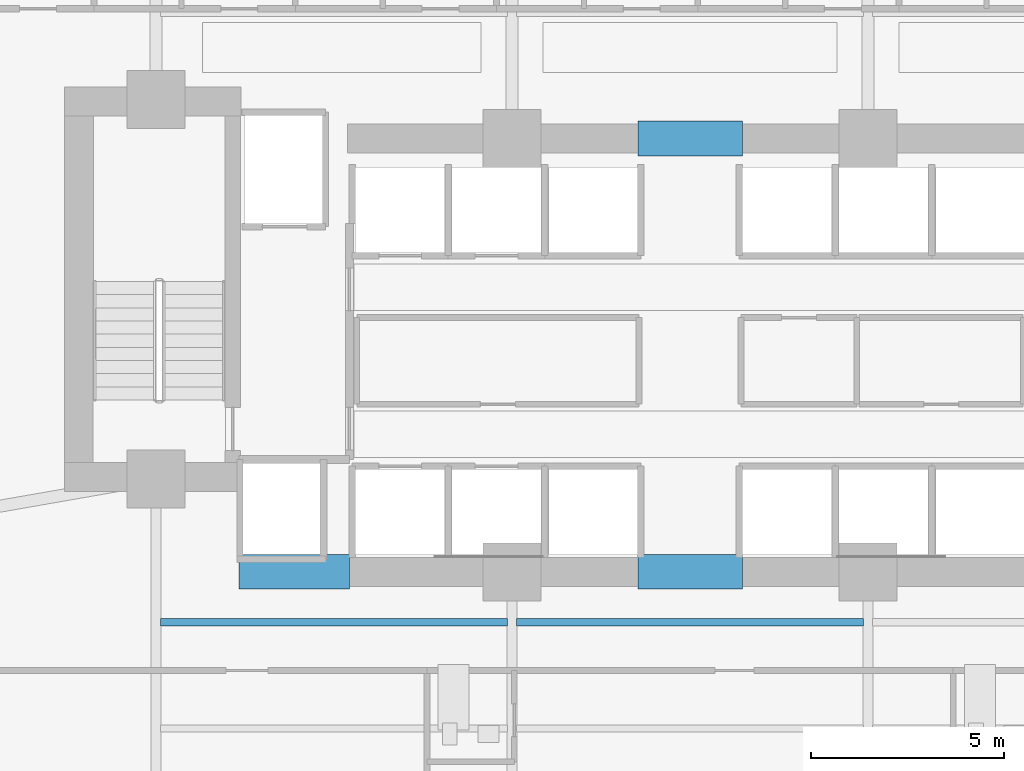
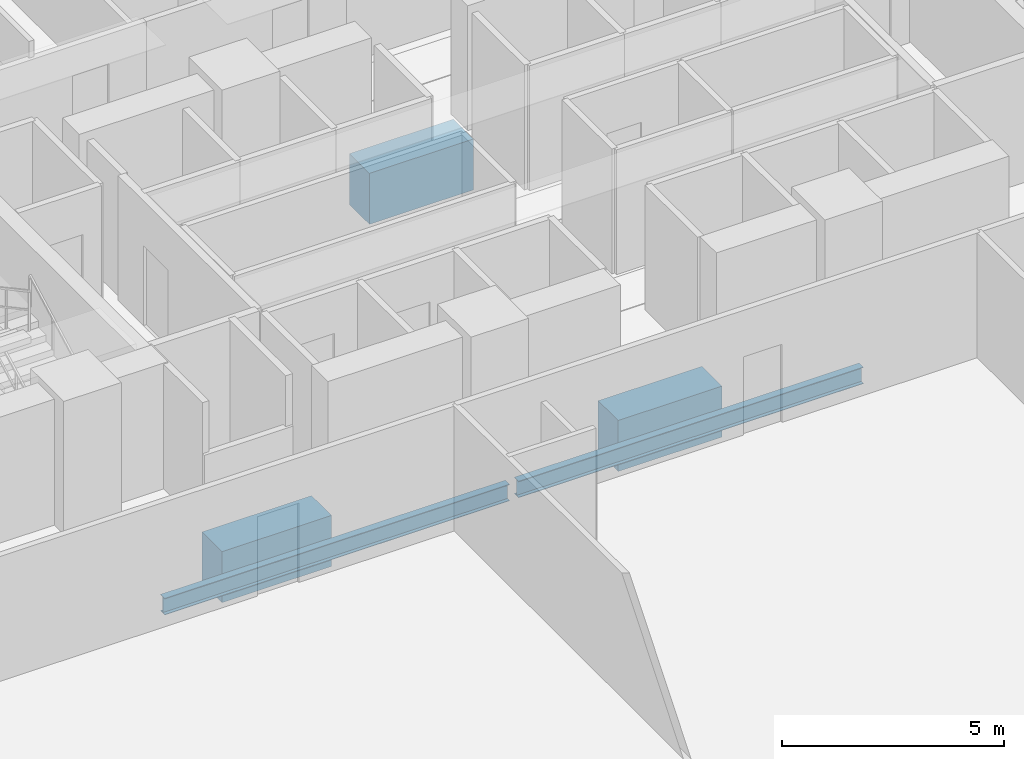
# One storey, part 8 of 29: 5 beams.
"""IFC4 building model written with IfcOpenShell, lengths in metres."""

from ifc_helpers import new_model, si_unit, direction, frame, origin, origin_2d, place, context, subcontext, project, spatial, rectangle, i_section, extrude, material, material_profile, profile_set, type_object, element, save


model = new_model("IFC4")

# Units and contexts
model_context = context("Model", 3, precision=1e-05, world=origin(), true_north=direction((0.0, 1.0)))
body_context = subcontext(model_context, "Body", "Model", "MODEL_VIEW")
ifc_project = project(units=[si_unit("LENGTHUNIT", "METRE"), si_unit("AREAUNIT", "SQUARE_METRE"), si_unit("VOLUMEUNIT", "CUBIC_METRE"), si_unit("PLANEANGLEUNIT", "RADIAN"), si_unit("MASSUNIT", "GRAM", prefix="KILO")], contexts=[model_context])

# Site, building, storey
site_placement = place(None, origin())
site = spatial("IfcSite", under=ifc_project, at=site_placement, CompositionType="ELEMENT")
building_placement = place(site_placement, origin())
building = spatial("IfcBuilding", under=site, at=building_placement, Name="Zuhayl Quay Hotel", CompositionType="ELEMENT")
storey_placement = place(building_placement, frame((0.0, 0.0, 106.60009765625)))
storey = spatial("IfcBuildingStorey", under=building, at=storey_placement, Name="L26", CompositionType="ELEMENT", Elevation=106.60009765625)

# Beams
ifc_material_1 = material(Name="Concrete C60/75", Category="concrete")
ifc_material_profile_1 = material_profile(ifc_material_1, rectangle(XDim=0.89990234375, YDim=1.39990234375, at=origin_2d()), Name="RC900X1400")
ifc_profile_set_1 = profile_set([ifc_material_profile_1], Name="Concrete C60/75")
beam_type_1 = type_object("IfcBeamType", Name="BM_CB1_RC900", PredefinedType="T_BEAM", material=ifc_profile_set_1)
beam_placement = place(storey_placement, frame((-11.64990234375, 2.14990234375, -0.920166015625), z_axis=(1.0, 0.0, 0.0), x_axis=(0.0, 1.0, 0.0)))
element("IfcBeam", 1, at=beam_placement, inside=storey, type_object=beam_type_1, Name="L26 Core Coupling Beam SW", PredefinedType="T_BEAM", context=body_context, shape_type="SweptSolid", body=[
    extrude(rectangle(XDim=0.89990234375, YDim=1.39990234375, at=origin_2d()), origin(), (0.0, 0.0, 1.0), 2.849853515625),
])
for number, where, z_axis, x_axis, name in (
    (2, (-1.35009765625, 13.35009765625, -0.920166015625), (1.0, 0.0, 0.0), (0.0, 1.0, 0.0), "L26 Core Coupling Beam North"),
    (3, (-1.35009765625, 2.14990234375, -0.920166015625), (1.0, 0.0, 0.0), (0.0, 1.0, 0.0), "L26 Core Coupling Beam South"),
):
    element("IfcBeam", number, at=place(storey_placement, frame(where, z_axis=z_axis, x_axis=x_axis)), inside=storey, type_object=beam_type_1, Name=name, PredefinedType="T_BEAM", context=body_context, shape_type="SweptSolid", body=[
        extrude(rectangle(XDim=0.89990234375, YDim=1.39990234375, at=origin_2d()), origin(), (0.0, 0.0, 1.0), 2.7001953125),
    ])
ifc_material_2 = material(Name="Steel ASTM A992 Grade 50", Category="steel")
ifc_material_profile_2 = material_profile(ifc_material_2, i_section(OverallWidth=0.18994140625, OverallDepth=0.45703125, WebThickness=0.009033203125, FlangeThickness=0.014404296875, at=origin_2d()), Name="W18X50")
ifc_profile_set_2 = profile_set([ifc_material_profile_2], Name="Steel ASTM A992 Grade 50")
beam_type_2 = type_object("IfcBeamType", Name="BM_J2_W18X50", PredefinedType="JOIST", material=ifc_profile_set_2)
for number, where, z_axis, x_axis, name in (
    (4, (-13.680908203125, 0.85009765625, -0.448486328125), (1.0, 0.0, 0.0), (0.0, 1.0, 0.0), "L26 Floor Beam FJ_L26_9_1"),
    (5, (-4.48095703125, 0.85009765625, -0.448486328125), (1.0, 0.0, 0.0), (0.0, 1.0, 0.0), "L26 Floor Beam FJ_L26_9_2"),
):
    element("IfcBeam", number, at=place(storey_placement, frame(where, z_axis=z_axis, x_axis=x_axis)), inside=storey, type_object=beam_type_2, Name=name, PredefinedType="JOIST", context=body_context, shape_type="SweptSolid", body=[
        extrude(i_section(OverallWidth=0.18994140625, OverallDepth=0.45703125, WebThickness=0.009033203125, FlangeThickness=0.014404296875, at=origin_2d()), origin(), (0.0, 0.0, 1.0), 8.9619140625),
    ])

save(model, "model.ifc")
